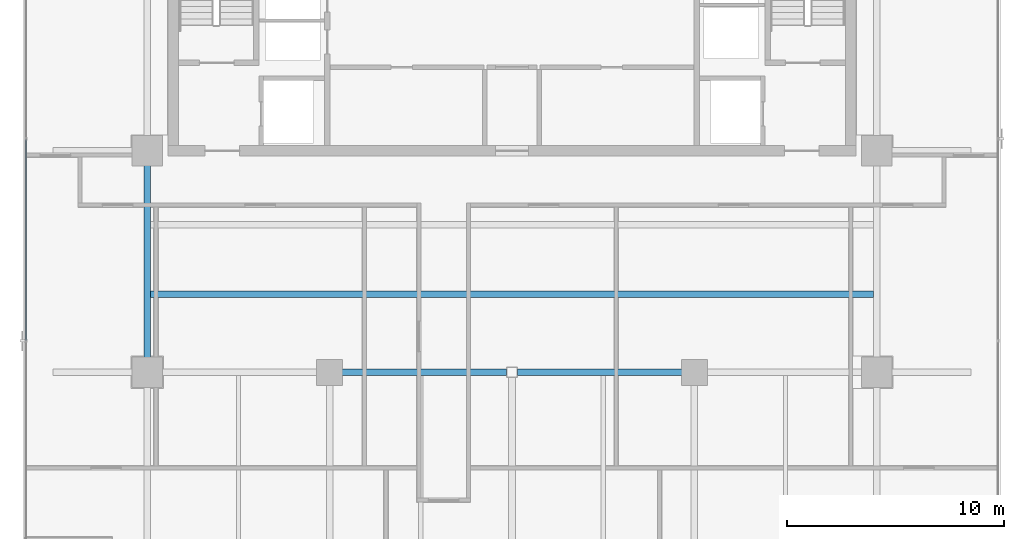
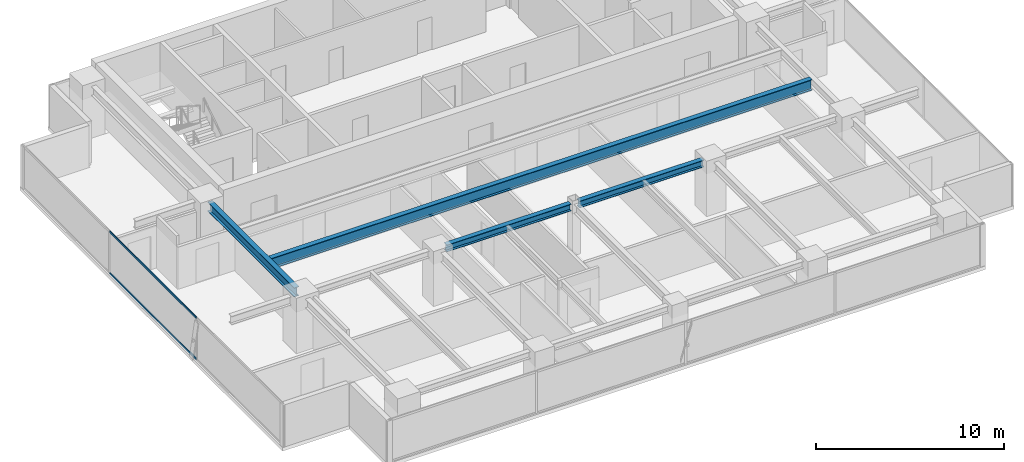
# One storey, part 8 of 25: 4 beams, 2 members, 1 element without a shape of its own.
"""IFC4 building model written with IfcOpenShell, lengths in metres."""

from ifc_helpers import new_model, si_unit, direction, frame, origin, origin_2d, place, context, subcontext, project, spatial, hollow_rectangle, i_section, extrude, source, transform, mapped, material, layer, layer_set, material_profile, profile_set, type_object, element, aggregate, save


model = new_model("IFC4")

# Units and contexts
model_context = context("Model", 3, precision=1e-05, world=origin(), true_north=direction((0.0, 1.0)))
body_context = subcontext(model_context, "Body", "Model", "MODEL_VIEW")
ifc_project = project(units=[si_unit("LENGTHUNIT", "METRE"), si_unit("AREAUNIT", "SQUARE_METRE"), si_unit("VOLUMEUNIT", "CUBIC_METRE"), si_unit("PLANEANGLEUNIT", "RADIAN"), si_unit("MASSUNIT", "GRAM", prefix="KILO")], contexts=[model_context])

# Site, building, storey
site_placement = place(None, origin())
site = spatial("IfcSite", under=ifc_project, at=site_placement, CompositionType="ELEMENT")
building_placement = place(site_placement, origin())
building = spatial("IfcBuilding", under=site, at=building_placement, Name="Sumidabori Civic Tower", CompositionType="ELEMENT")
storey_placement = place(building_placement, frame((0.0, 0.0, 268.39990234375)))
storey = spatial("IfcBuildingStorey", under=building, at=storey_placement, Name="L70", CompositionType="ELEMENT", Elevation=268.39990234375)

# Beams
ifc_material_1 = material(Name="Steel SN490", Category="steel")
ifc_material_profile_1 = material_profile(ifc_material_1, i_section(OverallWidth=0.300048828125, OverallDepth=0.60009765625, WebThickness=0.015380859375, FlangeThickness=0.030029296875, at=origin_2d()), Name="HE 600 B")
ifc_profile_set_1 = profile_set([ifc_material_profile_1], Name="Steel SN490")
beam_type_1 = type_object("IfcBeamType", Name="BM-GIRD-600", PredefinedType="BEAM", material=ifc_profile_set_1)
shared_shape_1 = source(origin(), body_context, "Body", "SweptSolid", [
    extrude(i_section(OverallWidth=0.300048828125, OverallDepth=0.60009765625, WebThickness=0.015380859375, FlangeThickness=0.030029296875, at=origin_2d()), origin(), (0.0, 0.0, 1.0), 9.239990234375),
])
beam_1_placement = place(storey_placement, frame((-16.800048828125, 0.47998046875, 3.070068359375), z_axis=(0.0, 1.0, 0.0), x_axis=(-1.0, 0.0, 0.0)))
element("IfcBeam", 1, at=beam_1_placement, inside=storey, type_object=beam_type_1, Name="Primary Girder L70 GY-10", PredefinedType="BEAM", context=body_context, shape_type="MappedRepresentation", body=[
    mapped(shared_shape_1, transform((0.0, 0.0, 0.0), x_axis=(1.0, 0.0, 0.0), y_axis=(0.0, 1.0, 0.0), z_axis=(0.0, 0.0, 1.0), scale=1.0)),
])
ifc_material_profile_2 = material_profile(ifc_material_1, i_section(OverallWidth=0.300048828125, OverallDepth=0.699951171875, WebThickness=0.01708984375, FlangeThickness=0.031982421875, at=origin_2d()), Name="HE 700 B")
ifc_profile_set_2 = profile_set([ifc_material_profile_2], Name="Steel SN490")
beam_type_2 = type_object("IfcBeamType", Name="BM-GIRD-700", PredefinedType="BEAM", material=ifc_profile_set_2)
shared_shape_2 = source(origin(), body_context, "Body", "SweptSolid", [
    extrude(i_section(OverallWidth=0.300048828125, OverallDepth=0.699951171875, WebThickness=0.01708984375, FlangeThickness=0.031982421875, at=origin_2d()), origin(), (0.0, 0.0, 1.0), 33.2998046875),
])
beam_2_placement = place(storey_placement, frame((-16.64990234375, 3.60009765625, 3.02001953125), z_axis=(1.0, 0.0, 0.0), x_axis=(0.0, 1.0, 0.0)))
element("IfcBeam", 2, at=beam_2_placement, inside=storey, type_object=beam_type_2, Name="North Bay Floor Beam L70 JSTN-22", PredefinedType="BEAM", context=body_context, shape_type="MappedRepresentation", body=[
    mapped(shared_shape_2, transform((0.0, 0.0, 0.0), x_axis=(1.0, 0.0, 0.0), y_axis=(0.0, 1.0, 0.0), z_axis=(0.0, 0.0, 1.0), scale=1.0)),
])
ifc_material_profile_3 = material_profile(ifc_material_1, i_section(OverallWidth=0.300048828125, OverallDepth=0.449951171875, WebThickness=0.013916015625, FlangeThickness=0.02587890625, at=origin_2d()), Name="HE 450 B")
ifc_profile_set_3 = profile_set([ifc_material_profile_3], Name="Steel SN490")
beam_type_3 = type_object("IfcBeamType", Name="BM-GIRD-450", PredefinedType="BEAM", material=ifc_profile_set_3)
shared_shape_3 = source(origin(), body_context, "Body", "SweptSolid", [
    extrude(i_section(OverallWidth=0.300048828125, OverallDepth=0.449951171875, WebThickness=0.013916015625, FlangeThickness=0.02587890625, at=origin_2d()), origin(), (0.0, 0.0, 1.0), 7.669921875),
])
for number, where, z_axis, x_axis, name in (
    (3, (-7.919921875, 0.0, 3.14501953125), (1.0, 0.0, 0.0), (0.0, 1.0, 0.0), "Primary Girder L70 GX-06"),
    (4, (0.25, 0.0, 3.14501953125), (1.0, 0.0, 0.0), (0.0, 1.0, 0.0), "Primary Girder L70 GX-07"),
):
    element("IfcBeam", number, at=place(storey_placement, frame(where, z_axis=z_axis, x_axis=x_axis)), inside=storey, type_object=beam_type_3, Name=name, PredefinedType="BEAM", context=body_context, shape_type="MappedRepresentation", body=[
        mapped(shared_shape_3, transform((0.0, 0.0, 0.0), x_axis=(1.0, 0.0, 0.0), y_axis=(0.0, 1.0, 0.0), z_axis=(0.0, 0.0, 1.0), scale=1.0)),
    ])

# Curtain wall, members
ifc_material_2 = material(Name="Anodised Bronze Aluminium AW-6063-T6", Category="aluminium")
ifc_layer = layer(ifc_material_2, 0.179931640625, Name="Anodised Bronze Aluminium AW-6063-T6")
ifc_layer_set = layer_set([ifc_layer], Name="Anodised Bronze Aluminium AW-6063-T6")
curtain_wall_type = type_object("IfcCurtainWallType", Name="CW-SYS-5", PredefinedType="NOTDEFINED", material=ifc_layer_set)
curtain_wall_placement = place(storey_placement, origin())
curtain_wall = element("IfcCurtainWall", 5, at=curtain_wall_placement, inside=storey, type_object=curtain_wall_type, Name="Curtain Wall CW:L70:R10", PredefinedType="NOTDEFINED")
ifc_material_profile_4 = material_profile(ifc_material_2, hollow_rectangle(XDim=0.06005859375, YDim=0.1298828125, WallThickness=0.0048828125, at=origin_2d()), Name="ALU TRANSOM 130x60")
ifc_profile_set_4 = profile_set([ifc_material_profile_4], Name="Anodised Bronze Aluminium AW-6063-T6")
member_type = type_object("IfcMemberType", Name="CW-TRN-130", PredefinedType="USERDEFINED", material=ifc_profile_set_4)
shared_shape_4 = source(origin(), body_context, "Body", "SweptSolid", [
    extrude(hollow_rectangle(XDim=0.06005859375, YDim=0.1298828125, WallThickness=0.0048828125, at=origin_2d()), origin(), (0.0, 0.0, 1.0), 9.253173828125),
])
member_1_placement = place(storey_placement, frame((-22.3798828125, 10.7265625, 0.030029296875), z_axis=(0.0, -1.0, 0.0), x_axis=(1.0, 0.0, 0.0)))
member_1 = element("IfcMember", 6, at=member_1_placement, type_object=member_type, Name="CW-5 transom 2.1", ObjectType="TRANSOM", PredefinedType="USERDEFINED", context=body_context, shape_type="MappedRepresentation", body=[
    mapped(shared_shape_4, transform((0.0, 0.0, 0.0), x_axis=(1.0, 0.0, 0.0), y_axis=(0.0, 1.0, 0.0), z_axis=(0.0, 0.0, 1.0), scale=1.0)),
])
member_2_placement = place(storey_placement, frame((-22.3798828125, 10.7265625, 2.72021484375), z_axis=(0.0, -1.0, 0.0), x_axis=(1.0, 0.0, 0.0)))
member_2 = element("IfcMember", 7, at=member_2_placement, type_object=member_type, Name="CW-5 transom 2.2", ObjectType="TRANSOM", PredefinedType="USERDEFINED", context=body_context, shape_type="MappedRepresentation", body=[
    mapped(shared_shape_4, transform((0.0, 0.0, 0.0), x_axis=(1.0, 0.0, 0.0), y_axis=(0.0, 1.0, 0.0), z_axis=(0.0, 0.0, 1.0), scale=1.0)),
])
aggregate(curtain_wall, [member_1, member_2])

save(model, "model.ifc")
